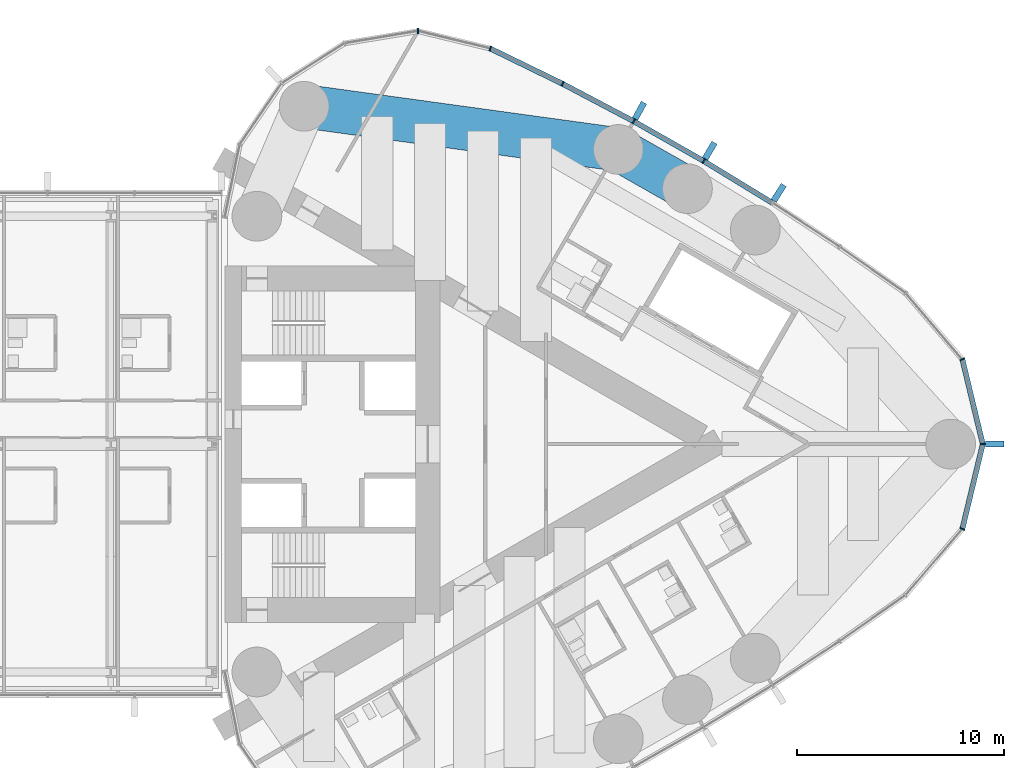
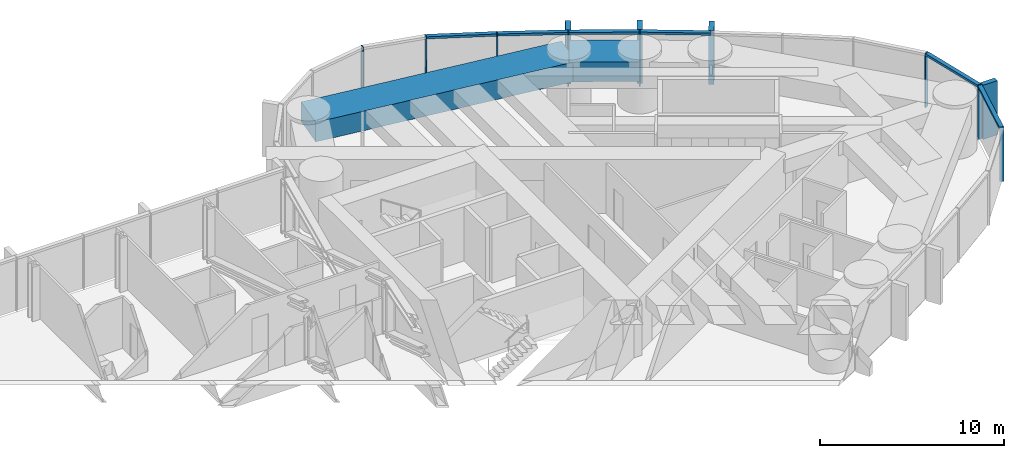
# One storey, part 12 of 23: 18 members, 2 beams, 1 element without a shape of its own.
"""IFC4 building model written with IfcOpenShell, lengths in metres."""

import ifcopenshell
import ifcopenshell.guid

model = None  # the IFC model being written
_history = None  # IfcOwnerHistory: only IFC2X3 demands one
_inside = {}  # id of a spatial element -> (the spatial element, [elements in it])
_under = {}  # id of a project, library or spatial element -> (it, [spatial elements below it])
_declared = {}  # id of a project -> (the project, [libraries it declares])
_typed = {}  # id of a type object -> (the type object, [elements of that type])
_made_of = {}  # id of a material, layer set ... -> (it, [elements and type objects made of it])


def new_model(schema):
    """Start an empty IFC model of exactly this schema.

    Asked for "IFC4X3", IfcOpenShell would pick the latest addendum, in which some entities
    have other attributes; the version numbers below select the first issue.
    IFC2X3 requires an IfcOwnerHistory on every rooted entity: one is made here for all.
    """
    global model, _history
    if schema == "IFC4X3":
        model = ifcopenshell.file(schema_version=(4, 3, 0, 0))
    else:
        model = ifcopenshell.file(schema=schema)
    _inside.clear()
    _under.clear()
    _declared.clear()
    _typed.clear()
    _made_of.clear()
    _history = None
    if model.schema == "IFC2X3":
        org = make("IfcOrganization", Name="unknown")
        user = make(
            "IfcPersonAndOrganization",
            ThePerson=make("IfcPerson", FamilyName="unknown"),
            TheOrganization=org,
        )
        app = make(
            "IfcApplication",
            ApplicationDeveloper=org,
            Version="unknown",
            ApplicationFullName="unknown",
            ApplicationIdentifier="unknown",
        )
        _history = make(
            "IfcOwnerHistory",
            OwningUser=user,
            OwningApplication=app,
            ChangeAction="ADDED",
            CreationDate=0,
        )
    return model


def make(cls, **values):
    """One entity of the class cls with the attributes given. An attribute that is None is left unset."""
    return model.create_entity(
        cls, **{name: value for name, value in values.items() if value is not None}
    )


def rooted(cls, **values):
    """An entity with a GlobalId (a new one), such as an element, a storey or a relation."""
    return make(cls, GlobalId=ifcopenshell.guid.new(), OwnerHistory=_history, **values)


def si_unit(unit_type, name, prefix=None):
    """IfcSIUnit, for example si_unit("LENGTHUNIT", "METRE", prefix="MILLI")."""
    return make("IfcSIUnit", UnitType=unit_type, Prefix=prefix, Name=name)


def assignment(units):
    """IfcUnitAssignment: the units of a project."""
    return None if units is None else make("IfcUnitAssignment", Units=units)


def point(xyz):
    """IfcCartesianPoint."""
    return None if xyz is None else make("IfcCartesianPoint", Coordinates=xyz)


def direction(xyz):
    """IfcDirection."""
    return None if xyz is None else make("IfcDirection", DirectionRatios=xyz)


def frame(location, z_axis=None, x_axis=None):
    """IfcAxis2Placement3D, a coordinate frame: its origin and axes. An axis left out is left unset."""
    return make(
        "IfcAxis2Placement3D",
        Location=point(location),
        Axis=direction(z_axis),
        RefDirection=direction(x_axis),
    )


def frame_2d(location, x_axis=None):
    """IfcAxis2Placement2D, a coordinate frame in the plane: its origin and x axis."""
    return make(
        "IfcAxis2Placement2D", Location=point(location), RefDirection=direction(x_axis)
    )


def origin():
    """The frame at (0, 0, 0) with its axes left unset."""
    return frame((0.0, 0.0, 0.0))


def origin_2d():
    """The frame at (0, 0) in the plane with its x axis left unset."""
    return frame_2d((0.0, 0.0))


def place(relative_to, where):
    """IfcLocalPlacement: puts the frame where relative to a parent placement (None: the world)."""
    return make(
        "IfcLocalPlacement", PlacementRelTo=relative_to, RelativePlacement=where
    )


def context(
    kind, dimensions, precision=None, world=None, true_north=None, identifier=None
):
    """IfcGeometricRepresentationContext, for example the 3D "Model" context."""
    return make(
        "IfcGeometricRepresentationContext",
        ContextIdentifier=identifier,
        ContextType=kind,
        CoordinateSpaceDimension=dimensions,
        Precision=precision,
        WorldCoordinateSystem=world,
        TrueNorth=true_north,
    )


def subcontext(parent, identifier, kind, view, scale=None):
    """IfcGeometricRepresentationSubContext, for example "Body" below "Model"."""
    return make(
        "IfcGeometricRepresentationSubContext",
        ContextIdentifier=identifier,
        ContextType=kind,
        ParentContext=parent,
        TargetScale=scale,
        TargetView=view,
    )


def project(units=None, contexts=None):
    """IfcProject with its units and contexts."""
    return rooted(
        "IfcProject",
        Name="project",
        RepresentationContexts=contexts,
        UnitsInContext=assignment(units),
    )


def spatial(cls, under=None, at=None, **own):
    """A site, building, storey or space (cls), placed at a placement, below another one or the project."""
    s = rooted(cls, ObjectPlacement=at, **own)
    if under is not None:
        _under.setdefault(under.id(), (under, []))[1].append(s)
    return s


def profile(cls, at=None, kind="AREA", **sizes):
    """A parametric profile (cls). Its sizes go by their IFC names, for example OverallWidth=200.0."""
    return make(cls, ProfileType=kind, Position=at, **sizes)


def rectangle(**sizes):
    """IfcRectangleProfileDef."""
    return profile("IfcRectangleProfileDef", **sizes)


def extrude(swept, where, along, depth):
    """IfcExtrudedAreaSolid: the profile swept, set in the frame where, extruded along a direction by depth."""
    return make(
        "IfcExtrudedAreaSolid",
        SweptArea=swept,
        Position=where,
        ExtrudedDirection=direction(along),
        Depth=depth,
    )


def shape(context_of_items, identifier, shape_type, items):
    """IfcShapeRepresentation: the items that make up one representation, for example the "Body"."""
    return make(
        "IfcShapeRepresentation",
        ContextOfItems=context_of_items,
        RepresentationIdentifier=identifier,
        RepresentationType=shape_type,
        Items=items,
    )


def material(Name=None, Category=None):
    """IfcMaterial."""
    return make("IfcMaterial", Name=Name, Category=Category)


def material_profile(
    of_material, cross_section, Name=None, Category=None, Priority=None
):
    """IfcMaterialProfile: a cross section and its material."""
    return make(
        "IfcMaterialProfile",
        Name=Name,
        Material=of_material,
        Profile=cross_section,
        Priority=Priority,
        Category=Category,
    )


def profile_set(profiles, Name=None, composite=None):
    """IfcMaterialProfileSet."""
    return make(
        "IfcMaterialProfileSet",
        Name=Name,
        MaterialProfiles=profiles,
        CompositeProfile=composite,
    )


def made_of(thing, what):
    """Note that an element or type object is made of a material, layer set ...; save() writes the relation."""
    if what is not None:
        _made_of.setdefault(what.id(), (what, []))[1].append(thing)
    return thing


def type_object(cls, material=None, **own):
    """A type object (cls), such as IfcWallType, which elements share."""
    return made_of(rooted(cls, **own), material)


def element(
    cls,
    number,
    at=None,
    inside=None,
    cuts=None,
    type_object=None,
    material=None,
    context=None,
    identifier="Body",
    shape_type=None,
    held_by="IfcProductDefinitionShape",
    body=None,
    shapes=None,
    **own,
):
    """One element of the class cls, such as IfcWall. Its Tag is "e" and its number.

    at: its placement. inside: the storey or other place that contains it. cuts: it is an
    opening in that element (IfcRelVoidsElement). A single representation is given by context,
    identifier, shape_type and body (its items); several are given by shapes. held_by: the class
    of the entity that holds the representations. save() writes the other relations.
    """
    e = rooted(cls, Tag="e%d" % number, ObjectPlacement=at, **own)
    if body is not None:
        shapes = [shape(context, identifier, shape_type, body)]
    if shapes is not None:
        e.Representation = make(held_by, Representations=shapes)
    if inside is not None:
        _inside.setdefault(inside.id(), (inside, []))[1].append(e)
    if cuts is not None:
        rooted(
            "IfcRelVoidsElement", RelatingBuildingElement=cuts, RelatedOpeningElement=e
        )
    if type_object is not None:
        _typed.setdefault(type_object.id(), (type_object, []))[1].append(e)
    return made_of(e, material)


def aggregate(whole, parts):
    """IfcRelAggregates: a whole, such as a stair, and the parts it consists of."""
    return rooted("IfcRelAggregates", RelatingObject=whole, RelatedObjects=parts)


def save(model, path):
    """Write the relations noted so far, then the file.

    IfcRelAggregates (storeys below a building ...), IfcRelContainedInSpatialStructure (elements
    in a storey), IfcRelDefinesByType, IfcRelAssociatesMaterial and IfcRelDeclares: one each for
    every whole, place, type object, material and project.
    """
    for whole, parts in _under.values():
        aggregate(whole, parts)
    for where, things in _inside.values():
        rooted(
            "IfcRelContainedInSpatialStructure",
            RelatedElements=things,
            RelatingStructure=where,
        )
    for kind, things in _typed.values():
        rooted("IfcRelDefinesByType", RelatedObjects=things, RelatingType=kind)
    for what, things in _made_of.values():
        rooted("IfcRelAssociatesMaterial", RelatedObjects=things, RelatingMaterial=what)
    for by, libraries in _declared.values():
        rooted("IfcRelDeclares", RelatingContext=by, RelatedDefinitions=libraries)
    model.write(path)


model = new_model("IFC4")

# Units and contexts
model_context = context("Model", 3, precision=1e-05, world=origin(), true_north=direction((0.0, 1.0)))
body_context = subcontext(model_context, "Body", "Model", "MODEL_VIEW")
ifc_project = project(units=[si_unit("LENGTHUNIT", "METRE"), si_unit("AREAUNIT", "SQUARE_METRE"), si_unit("VOLUMEUNIT", "CUBIC_METRE"), si_unit("PLANEANGLEUNIT", "RADIAN"), si_unit("MASSUNIT", "GRAM", prefix="KILO")], contexts=[model_context])

# Site, building, storey
site_placement = place(None, origin())
site = spatial("IfcSite", under=ifc_project, at=site_placement, CompositionType="ELEMENT")
building_placement = place(site_placement, origin())
building = spatial("IfcBuilding", under=site, at=building_placement, Name="Lancet Gate Hotel", CompositionType="ELEMENT")
storey_placement = place(building_placement, frame((0.0, 0.0, 240.5)))
storey = spatial("IfcBuildingStorey", under=building, at=storey_placement, Name="L64", CompositionType="ELEMENT", Elevation=240.5)

# Curtain wall, members
ifc_material_1 = material(Name="Aluminium curtain wall", Category="aluminium")
curtain_wall_type = type_object("IfcCurtainWallType", Name="Tower unitised curtain wall", PredefinedType="USERDEFINED", material=ifc_material_1)
curtain_wall_placement = place(storey_placement, origin())
curtain_wall = element("IfcCurtainWall", 1, at=curtain_wall_placement, inside=storey, type_object=curtain_wall_type, Name="T2 L64 curtain wall 1", ObjectType="UNITISED CURTAIN WALL", PredefinedType="USERDEFINED")
ifc_material_2 = material(Name="Aluminium mullion", Category="aluminium")
ifc_material_profile_1 = material_profile(ifc_material_2, rectangle(XDim=0.06494140625, YDim=0.25, at=origin_2d()), Name="MULLION 65x250")
ifc_profile_set_1 = profile_set([ifc_material_profile_1], Name="Aluminium mullion")
member_type_1 = type_object("IfcMemberType", Name="Aluminium mullion 65x250", PredefinedType="MULLION", material=ifc_profile_set_1)
member_1_placement = place(storey_placement, frame((63.1064453125, -4.09375, 0.0), z_axis=(0.0, 0.0, 1.0), x_axis=(0.454852851296, 0.890566608215, 0.0)))
member_1 = element("IfcMember", 2, at=member_1_placement, type_object=member_type_1, Name="T2 L64 curtain wall 1 mullion 13", PredefinedType="MULLION", context=body_context, shape_type="SweptSolid", body=[
    extrude(rectangle(XDim=0.06494140625, YDim=0.25, at=origin_2d()), origin(), (0.0, 0.0, 1.0), 3.60009765625),
])
member_2_placement = place(storey_placement, frame((64.09130859375, 0.0, 0.0), z_axis=(0.0, 0.0, 1.0), x_axis=(0.0, 1.0, 0.0)))
member_2 = element("IfcMember", 3, at=member_2_placement, type_object=member_type_1, Name="T2 L64 curtain wall 1 mullion 14", PredefinedType="MULLION", context=body_context, shape_type="SweptSolid", body=[
    extrude(rectangle(XDim=0.06494140625, YDim=0.25, at=origin_2d()), origin(), (0.0, 0.0, 1.0), 3.60009765625),
])
member_3_placement = place(storey_placement, frame((63.1064453125, 4.09375, 0.0), z_axis=(0.0, 0.0, 1.0), x_axis=(-0.454852851296, 0.890566608215, 0.0)))
member_3 = element("IfcMember", 4, at=member_3_placement, type_object=member_type_1, Name="T2 L64 curtain wall 1 mullion 15", PredefinedType="MULLION", context=body_context, shape_type="SweptSolid", body=[
    extrude(rectangle(XDim=0.06494140625, YDim=0.25, at=origin_2d()), origin(), (0.0, 0.0, 1.0), 3.60009765625),
])
member_4_placement = place(storey_placement, frame((50.62060546875, 13.667236328125, 0.0), z_axis=(0.0, 0.0, 1.0), x_axis=(-0.861691755738, 0.507432082247, 0.0)))
member_4 = element("IfcMember", 5, at=member_4_placement, type_object=member_type_1, Name="T2 L64 curtain wall 1 mullion 19", PredefinedType="MULLION", context=body_context, shape_type="SweptSolid", body=[
    extrude(rectangle(XDim=0.06494140625, YDim=0.25, at=origin_2d()), origin(), (0.0, 0.0, 1.0), 3.60009765625),
])
member_5_placement = place(storey_placement, frame((47.24365234375, 15.585205078125, 0.0), z_axis=(0.0, 0.0, 1.0), x_axis=(-0.877194589488, 0.480135035352, 0.0)))
member_5 = element("IfcMember", 6, at=member_5_placement, type_object=member_type_1, Name="T2 L64 curtain wall 1 mullion 20", PredefinedType="MULLION", context=body_context, shape_type="SweptSolid", body=[
    extrude(rectangle(XDim=0.06494140625, YDim=0.25, at=origin_2d()), origin(), (0.0, 0.0, 1.0), 3.60009765625),
])
member_6_placement = place(storey_placement, frame((43.80810546875, 17.396240234375, 0.0), z_axis=(0.0, 0.0, 1.0), x_axis=(-0.891832977257, 0.452364831389, 0.0)))
member_6 = element("IfcMember", 7, at=member_6_placement, type_object=member_type_1, Name="T2 L64 curtain wall 1 mullion 21", PredefinedType="MULLION", context=body_context, shape_type="SweptSolid", body=[
    extrude(rectangle(XDim=0.06494140625, YDim=0.25, at=origin_2d()), origin(), (0.0, 0.0, 1.0), 3.60009765625),
])
member_7_placement = place(storey_placement, frame((40.3173828125, 19.098388671875, 0.0), z_axis=(0.0, 0.0, 1.0), x_axis=(-0.939483740419, 0.342593493061, 0.0)))
member_7 = element("IfcMember", 8, at=member_7_placement, type_object=member_type_1, Name="T2 L64 curtain wall 1 mullion 22", PredefinedType="MULLION", context=body_context, shape_type="SweptSolid", body=[
    extrude(rectangle(XDim=0.06494140625, YDim=0.25, at=origin_2d()), origin(), (0.0, 0.0, 1.0), 3.60009765625),
])
member_8_placement = place(storey_placement, frame((36.826171875, 19.942138671875, 0.0), z_axis=(0.0, 0.0, 1.0), x_axis=(-0.999342744911, 0.03625021647, 0.0)))
member_8 = element("IfcMember", 9, at=member_8_placement, type_object=member_type_1, Name="T2 L64 curtain wall 1 mullion 23", PredefinedType="MULLION", context=body_context, shape_type="SweptSolid", body=[
    extrude(rectangle(XDim=0.06494140625, YDim=0.25, at=origin_2d()), origin(), (0.0, 0.0, 1.0), 3.60009765625),
])
ifc_material_3 = material(Name="Aluminium transom", Category="aluminium")
ifc_material_profile_2 = material_profile(ifc_material_3, rectangle(XDim=0.25, YDim=0.14990234375, at=origin_2d()), Name="TRANSOM 250x150")
ifc_profile_set_2 = profile_set([ifc_material_profile_2], Name="Aluminium transom")
member_type_2 = type_object("IfcMemberType", Name="Aluminium transom 250x150", PredefinedType="USERDEFINED", material=ifc_profile_set_2)
member_9_placement = place(storey_placement, frame((63.114013671875, -4.06201171875, 3.52490234375), z_axis=(0.233920855872, 0.972255641891, 0.0), x_axis=(-0.972255641891, 0.233920855872, 0.0)))
member_9 = element("IfcMember", 10, at=member_9_placement, type_object=member_type_2, Name="T2 L64 curtain wall 1 transom 13", ObjectType="TRANSOM", PredefinedType="USERDEFINED", context=body_context, shape_type="SweptSolid", body=[
    extrude(rectangle(XDim=0.25, YDim=0.14990234375, at=origin_2d()), origin(), (0.0, 0.0, 1.0), 4.1455078125),
])
member_10_placement = place(storey_placement, frame((64.083740234375, 0.031494140625, 3.52490234375), z_axis=(-0.233920855872, 0.972255641891, 0.0), x_axis=(-0.972255641891, -0.233920855872, 0.0)))
member_10 = element("IfcMember", 11, at=member_10_placement, type_object=member_type_2, Name="T2 L64 curtain wall 1 transom 14", ObjectType="TRANSOM", PredefinedType="USERDEFINED", context=body_context, shape_type="SweptSolid", body=[
    extrude(rectangle(XDim=0.25, YDim=0.14990234375, at=origin_2d()), origin(), (0.0, 0.0, 1.0), 4.1455078125),
])
member_11_placement = place(storey_placement, frame((53.907958984375, 11.661376953125, 3.52490234375), z_axis=(-0.853638798527, 0.520865435261, 0.0), x_axis=(-0.520865435261, -0.853638798527, 0.0)))
member_11 = element("IfcMember", 12, at=member_11_placement, type_object=member_type_2, Name="T2 L64 curtain wall 1 transom 18", ObjectType="TRANSOM", PredefinedType="USERDEFINED", context=body_context, shape_type="SweptSolid", body=[
    extrude(rectangle(XDim=0.25, YDim=0.14990234375, at=origin_2d()), origin(), (0.0, 0.0, 1.0), 3.818603515625),
])
member_12_placement = place(storey_placement, frame((50.59228515625, 13.683349609375, 3.52490234375), z_axis=(-0.869562011924, 0.493823761496, 0.0), x_axis=(-0.493823761496, -0.869562011924, 0.0)))
member_12 = element("IfcMember", 13, at=member_12_placement, type_object=member_type_2, Name="T2 L64 curtain wall 1 transom 19", ObjectType="TRANSOM", PredefinedType="USERDEFINED", context=body_context, shape_type="SweptSolid", body=[
    extrude(rectangle(XDim=0.25, YDim=0.14990234375, at=origin_2d()), origin(), (0.0, 0.0, 1.0), 3.818603515625),
])
member_13_placement = place(storey_placement, frame((47.21484375, 15.600341796875, 3.52490234375), z_axis=(-0.884618491031, 0.466315478325, 0.0), x_axis=(-0.466315478325, -0.884618491031, 0.0)))
member_13 = element("IfcMember", 14, at=member_13_placement, type_object=member_type_2, Name="T2 L64 curtain wall 1 transom 20", ObjectType="TRANSOM", PredefinedType="USERDEFINED", context=body_context, shape_type="SweptSolid", body=[
    extrude(rectangle(XDim=0.25, YDim=0.14990234375, at=origin_2d()), origin(), (0.0, 0.0, 1.0), 3.81884765625),
])
member_14_placement = place(storey_placement, frame((43.77880859375, 17.410400390625, 3.52490234375), z_axis=(-0.898820051991, 0.438317823206, 0.0), x_axis=(-0.438317823206, -0.898820051991, 0.0)))
member_14 = element("IfcMember", 15, at=member_14_placement, type_object=member_type_2, Name="T2 L64 curtain wall 1 transom 21", ObjectType="TRANSOM", PredefinedType="USERDEFINED", context=body_context, shape_type="SweptSolid", body=[
    extrude(rectangle(XDim=0.25, YDim=0.14990234375, at=origin_2d()), origin(), (0.0, 0.0, 1.0), 3.81884765625),
])

# Beams
ifc_material_4 = material(Name="Concrete C50/60", Category="concrete")
ifc_material_profile_3 = material_profile(ifc_material_4, rectangle(XDim=2.10009765625, YDim=1.300048828125, at=origin_2d()), Name="RC 2100x1300")
ifc_profile_set_3 = profile_set([ifc_material_profile_3], Name="Concrete C50/60")
beam_type = type_object("IfcBeamType", Name="Edge beam RC 2100x1300", PredefinedType="SPANDREL", material=ifc_profile_set_3)
beam_1_placement = place(storey_placement, frame((49.833984375, 12.331787109375, 2.699951171875), z_axis=(-0.869560321562, 0.493826738001, 0.0), x_axis=(-0.493826738001, -0.869560321562, 0.0)))
element("IfcBeam", 16, at=beam_1_placement, inside=storey, type_object=beam_type, Name="T2 edge beam EB1 L64", PredefinedType="SPANDREL", context=body_context, shape_type="SweptSolid", body=[
    extrude(rectangle(XDim=2.10009765625, YDim=1.300048828125, at=origin_2d()), origin(), (0.0, 0.0, 1.0), 3.8349609375),
])
beam_2_placement = place(storey_placement, frame((46.499267578125, 14.2255859375, 2.699951171875), z_axis=(-0.990685830783, 0.13616748762, 0.0), x_axis=(-0.13616748762, -0.990685830783, 0.0)))
element("IfcBeam", 17, at=beam_2_placement, inside=storey, type_object=beam_type, Name="T2 edge beam EB1 L64", PredefinedType="SPANDREL", context=body_context, shape_type="SweptSolid", body=[
    extrude(rectangle(XDim=2.10009765625, YDim=1.300048828125, at=origin_2d()), origin(), (0.0, 0.0, 1.0), 15.3134765625),
])

# Member
ifc_material_5 = material(Name="Precast concrete C50/60", Category="concrete")
ifc_material_profile_4 = material_profile(ifc_material_5, rectangle(XDim=0.300048828125, YDim=0.89990234375, at=origin_2d()), Name="FIN 300x900")
ifc_profile_set_4 = profile_set([ifc_material_profile_4], Name="Precast concrete C50/60")
member_type_3 = type_object("IfcMemberType", Name="Exposed concrete fin 300x900", PredefinedType="USERDEFINED", material=ifc_profile_set_4)
member_15_placement = place(storey_placement, frame((64.66650390625, 0.0, 0.0), z_axis=(0.0, 0.0, 1.0), x_axis=(0.0, 1.0, 0.0)))
member_15 = element("IfcMember", 18, at=member_15_placement, type_object=member_type_3, Name="T2 L64 curtain wall 1 fin 14", ObjectType="FIN", PredefinedType="USERDEFINED", context=body_context, shape_type="SweptSolid", body=[
    extrude(rectangle(XDim=0.300048828125, YDim=0.89990234375, at=origin_2d()), origin(), (0.0, 0.0, 1.0), 3.60009765625),
])

member_16_placement = place(storey_placement, frame((54.242919921875, 12.13037109375, 0.0), z_axis=(0.0, 0.0, 1.0), x_axis=(-0.845339753513, 0.534229071777, 0.0)))
member_16 = element("IfcMember", 19, at=member_16_placement, type_object=member_type_3, Name="T2 L64 curtain wall 1 fin 18", ObjectType="FIN", PredefinedType="USERDEFINED", context=body_context, shape_type="SweptSolid", body=[
    extrude(rectangle(XDim=0.300048828125, YDim=0.89990234375, at=origin_2d()), origin(), (0.0, 0.0, 1.0), 3.60009765625),
])

member_17_placement = place(storey_placement, frame((50.912353515625, 14.162841796875, 0.0), z_axis=(0.0, 0.0, 1.0), x_axis=(-0.861691755738, 0.507432082247, 0.0)))
member_17 = element("IfcMember", 20, at=member_17_placement, type_object=member_type_3, Name="T2 L64 curtain wall 1 fin 19", ObjectType="FIN", PredefinedType="USERDEFINED", context=body_context, shape_type="SweptSolid", body=[
    extrude(rectangle(XDim=0.300048828125, YDim=0.89990234375, at=origin_2d()), origin(), (0.0, 0.0, 1.0), 3.60009765625),
])

member_18_placement = place(storey_placement, frame((47.51953125, 16.089599609375, 0.0), z_axis=(0.0, 0.0, 1.0), x_axis=(-0.877194589488, 0.480135035352, 0.0)))
member_18 = element("IfcMember", 21, at=member_18_placement, type_object=member_type_3, Name="T2 L64 curtain wall 1 fin 20", ObjectType="FIN", PredefinedType="USERDEFINED", context=body_context, shape_type="SweptSolid", body=[
    extrude(rectangle(XDim=0.300048828125, YDim=0.89990234375, at=origin_2d()), origin(), (0.0, 0.0, 1.0), 3.60009765625),
])

aggregate(curtain_wall, [member_1, member_2, member_15, member_3, member_16, member_4, member_17, member_5, member_18, member_6, member_7, member_8, member_9, member_10, member_11, member_12, member_13, member_14])

save(model, "model.ifc")
